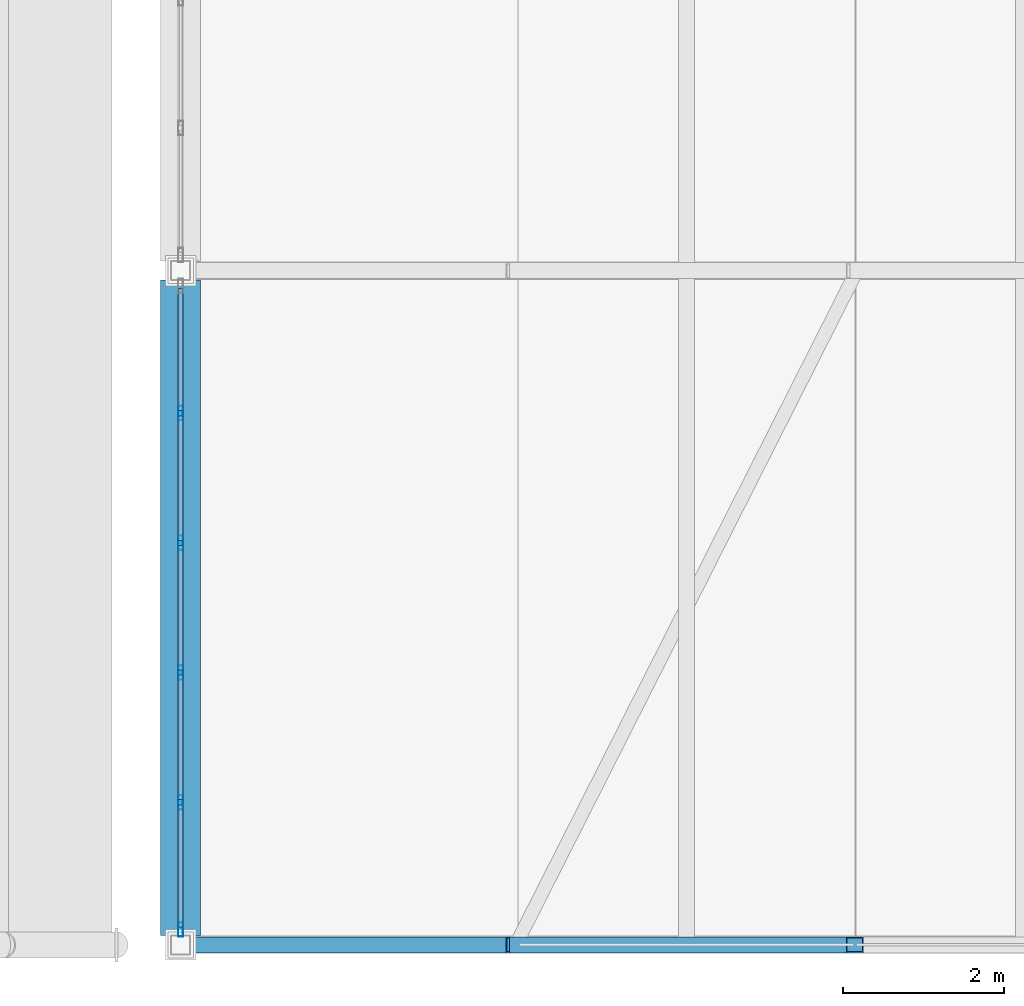
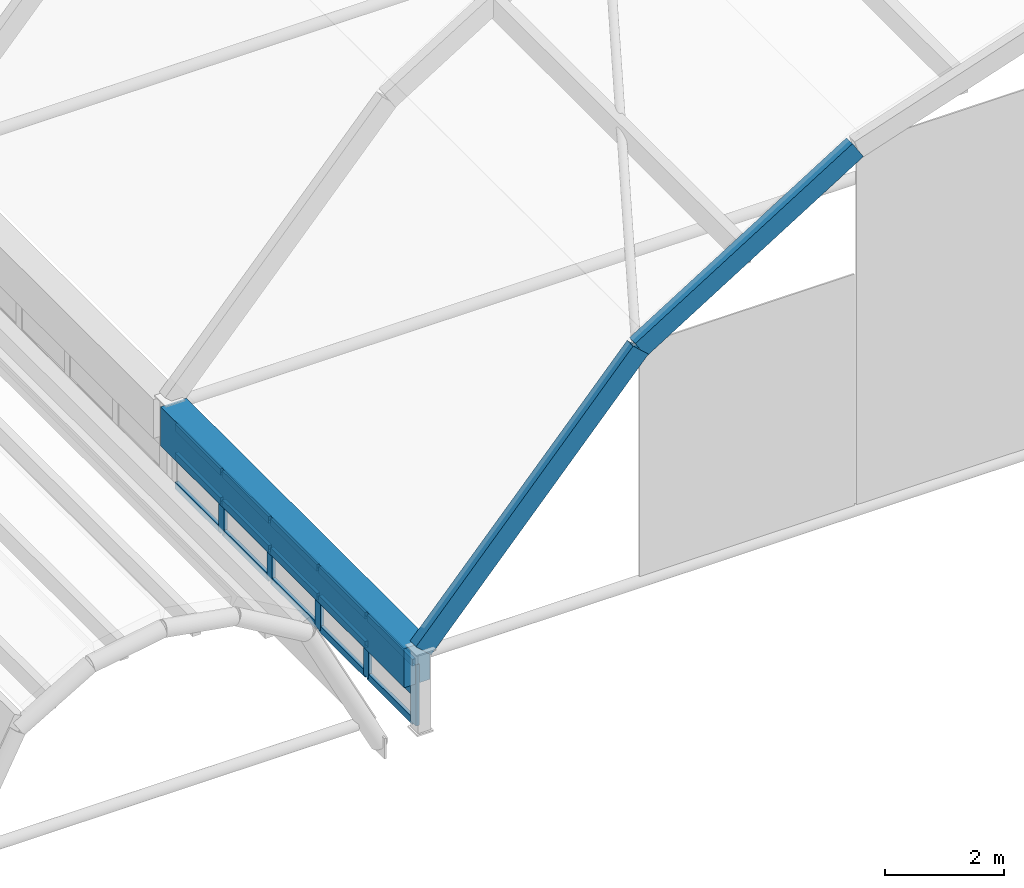
# One storey, part 11 of 114: 20 members, 3 beams, 1 element without a shape of its own.
"""IFC4 building model written with IfcOpenShell, lengths in metres."""

import ifcopenshell
import ifcopenshell.guid

model = None  # the IFC model being written
_history = None  # IfcOwnerHistory: only IFC2X3 demands one
_inside = {}  # id of a spatial element -> (the spatial element, [elements in it])
_under = {}  # id of a project, library or spatial element -> (it, [spatial elements below it])
_declared = {}  # id of a project -> (the project, [libraries it declares])
_typed = {}  # id of a type object -> (the type object, [elements of that type])
_made_of = {}  # id of a material, layer set ... -> (it, [elements and type objects made of it])


def new_model(schema):
    """Start an empty IFC model of exactly this schema.

    Asked for "IFC4X3", IfcOpenShell would pick the latest addendum, in which some entities
    have other attributes; the version numbers below select the first issue.
    IFC2X3 requires an IfcOwnerHistory on every rooted entity: one is made here for all.
    """
    global model, _history
    if schema == "IFC4X3":
        model = ifcopenshell.file(schema_version=(4, 3, 0, 0))
    else:
        model = ifcopenshell.file(schema=schema)
    _inside.clear()
    _under.clear()
    _declared.clear()
    _typed.clear()
    _made_of.clear()
    _history = None
    if model.schema == "IFC2X3":
        org = make("IfcOrganization", Name="unknown")
        user = make(
            "IfcPersonAndOrganization",
            ThePerson=make("IfcPerson", FamilyName="unknown"),
            TheOrganization=org,
        )
        app = make(
            "IfcApplication",
            ApplicationDeveloper=org,
            Version="unknown",
            ApplicationFullName="unknown",
            ApplicationIdentifier="unknown",
        )
        _history = make(
            "IfcOwnerHistory",
            OwningUser=user,
            OwningApplication=app,
            ChangeAction="ADDED",
            CreationDate=0,
        )
    return model


def make(cls, **values):
    """One entity of the class cls with the attributes given. An attribute that is None is left unset."""
    return model.create_entity(
        cls, **{name: value for name, value in values.items() if value is not None}
    )


def rooted(cls, **values):
    """An entity with a GlobalId (a new one), such as an element, a storey or a relation."""
    return make(cls, GlobalId=ifcopenshell.guid.new(), OwnerHistory=_history, **values)


def si_unit(unit_type, name, prefix=None):
    """IfcSIUnit, for example si_unit("LENGTHUNIT", "METRE", prefix="MILLI")."""
    return make("IfcSIUnit", UnitType=unit_type, Prefix=prefix, Name=name)


def assignment(units):
    """IfcUnitAssignment: the units of a project."""
    return None if units is None else make("IfcUnitAssignment", Units=units)


def point(xyz):
    """IfcCartesianPoint."""
    return None if xyz is None else make("IfcCartesianPoint", Coordinates=xyz)


def direction(xyz):
    """IfcDirection."""
    return None if xyz is None else make("IfcDirection", DirectionRatios=xyz)


def frame(location, z_axis=None, x_axis=None):
    """IfcAxis2Placement3D, a coordinate frame: its origin and axes. An axis left out is left unset."""
    return make(
        "IfcAxis2Placement3D",
        Location=point(location),
        Axis=direction(z_axis),
        RefDirection=direction(x_axis),
    )


def frame_2d(location, x_axis=None):
    """IfcAxis2Placement2D, a coordinate frame in the plane: its origin and x axis."""
    return make(
        "IfcAxis2Placement2D", Location=point(location), RefDirection=direction(x_axis)
    )


def origin():
    """The frame at (0, 0, 0) with its axes left unset."""
    return frame((0.0, 0.0, 0.0))


def origin_2d():
    """The frame at (0, 0) in the plane with its x axis left unset."""
    return frame_2d((0.0, 0.0))


def place(relative_to, where):
    """IfcLocalPlacement: puts the frame where relative to a parent placement (None: the world)."""
    return make(
        "IfcLocalPlacement", PlacementRelTo=relative_to, RelativePlacement=where
    )


def context(
    kind, dimensions, precision=None, world=None, true_north=None, identifier=None
):
    """IfcGeometricRepresentationContext, for example the 3D "Model" context."""
    return make(
        "IfcGeometricRepresentationContext",
        ContextIdentifier=identifier,
        ContextType=kind,
        CoordinateSpaceDimension=dimensions,
        Precision=precision,
        WorldCoordinateSystem=world,
        TrueNorth=true_north,
    )


def subcontext(parent, identifier, kind, view, scale=None):
    """IfcGeometricRepresentationSubContext, for example "Body" below "Model"."""
    return make(
        "IfcGeometricRepresentationSubContext",
        ContextIdentifier=identifier,
        ContextType=kind,
        ParentContext=parent,
        TargetScale=scale,
        TargetView=view,
    )


def project(units=None, contexts=None):
    """IfcProject with its units and contexts."""
    return rooted(
        "IfcProject",
        Name="project",
        RepresentationContexts=contexts,
        UnitsInContext=assignment(units),
    )


def spatial(cls, under=None, at=None, **own):
    """A site, building, storey or space (cls), placed at a placement, below another one or the project."""
    s = rooted(cls, ObjectPlacement=at, **own)
    if under is not None:
        _under.setdefault(under.id(), (under, []))[1].append(s)
    return s


def profile(cls, at=None, kind="AREA", **sizes):
    """A parametric profile (cls). Its sizes go by their IFC names, for example OverallWidth=200.0."""
    return make(cls, ProfileType=kind, Position=at, **sizes)


def rectangle(**sizes):
    """IfcRectangleProfileDef."""
    return profile("IfcRectangleProfileDef", **sizes)


def hollow_rectangle(**sizes):
    """IfcRectangleHollowProfileDef."""
    return profile("IfcRectangleHollowProfileDef", **sizes)


def extrude(swept, where, along, depth):
    """IfcExtrudedAreaSolid: the profile swept, set in the frame where, extruded along a direction by depth."""
    return make(
        "IfcExtrudedAreaSolid",
        SweptArea=swept,
        Position=where,
        ExtrudedDirection=direction(along),
        Depth=depth,
    )


def shape(context_of_items, identifier, shape_type, items):
    """IfcShapeRepresentation: the items that make up one representation, for example the "Body"."""
    return make(
        "IfcShapeRepresentation",
        ContextOfItems=context_of_items,
        RepresentationIdentifier=identifier,
        RepresentationType=shape_type,
        Items=items,
    )


def material(Name=None, Category=None):
    """IfcMaterial."""
    return make("IfcMaterial", Name=Name, Category=Category)


def layer(
    of_material, thickness, ventilated=None, Name=None, Category=None, Priority=None
):
    """IfcMaterialLayer: one layer of a wall or slab, of a material (None: an air gap)."""
    return make(
        "IfcMaterialLayer",
        Material=of_material,
        LayerThickness=thickness,
        IsVentilated=ventilated,
        Name=Name,
        Category=Category,
        Priority=Priority,
    )


def layer_set(layers, Name=None):
    """IfcMaterialLayerSet."""
    return make("IfcMaterialLayerSet", MaterialLayers=layers, LayerSetName=Name)


def material_profile(
    of_material, cross_section, Name=None, Category=None, Priority=None
):
    """IfcMaterialProfile: a cross section and its material."""
    return make(
        "IfcMaterialProfile",
        Name=Name,
        Material=of_material,
        Profile=cross_section,
        Priority=Priority,
        Category=Category,
    )


def profile_set(profiles, Name=None, composite=None):
    """IfcMaterialProfileSet."""
    return make(
        "IfcMaterialProfileSet",
        Name=Name,
        MaterialProfiles=profiles,
        CompositeProfile=composite,
    )


def made_of(thing, what):
    """Note that an element or type object is made of a material, layer set ...; save() writes the relation."""
    if what is not None:
        _made_of.setdefault(what.id(), (what, []))[1].append(thing)
    return thing


def type_object(cls, material=None, **own):
    """A type object (cls), such as IfcWallType, which elements share."""
    return made_of(rooted(cls, **own), material)


def element(
    cls,
    number,
    at=None,
    inside=None,
    cuts=None,
    type_object=None,
    material=None,
    context=None,
    identifier="Body",
    shape_type=None,
    held_by="IfcProductDefinitionShape",
    body=None,
    shapes=None,
    **own,
):
    """One element of the class cls, such as IfcWall. Its Tag is "e" and its number.

    at: its placement. inside: the storey or other place that contains it. cuts: it is an
    opening in that element (IfcRelVoidsElement). A single representation is given by context,
    identifier, shape_type and body (its items); several are given by shapes. held_by: the class
    of the entity that holds the representations. save() writes the other relations.
    """
    e = rooted(cls, Tag="e%d" % number, ObjectPlacement=at, **own)
    if body is not None:
        shapes = [shape(context, identifier, shape_type, body)]
    if shapes is not None:
        e.Representation = make(held_by, Representations=shapes)
    if inside is not None:
        _inside.setdefault(inside.id(), (inside, []))[1].append(e)
    if cuts is not None:
        rooted(
            "IfcRelVoidsElement", RelatingBuildingElement=cuts, RelatedOpeningElement=e
        )
    if type_object is not None:
        _typed.setdefault(type_object.id(), (type_object, []))[1].append(e)
    return made_of(e, material)


def aggregate(whole, parts):
    """IfcRelAggregates: a whole, such as a stair, and the parts it consists of."""
    return rooted("IfcRelAggregates", RelatingObject=whole, RelatedObjects=parts)


def save(model, path):
    """Write the relations noted so far, then the file.

    IfcRelAggregates (storeys below a building ...), IfcRelContainedInSpatialStructure (elements
    in a storey), IfcRelDefinesByType, IfcRelAssociatesMaterial and IfcRelDeclares: one each for
    every whole, place, type object, material and project.
    """
    for whole, parts in _under.values():
        aggregate(whole, parts)
    for where, things in _inside.values():
        rooted(
            "IfcRelContainedInSpatialStructure",
            RelatedElements=things,
            RelatingStructure=where,
        )
    for kind, things in _typed.values():
        rooted("IfcRelDefinesByType", RelatedObjects=things, RelatingType=kind)
    for what, things in _made_of.values():
        rooted("IfcRelAssociatesMaterial", RelatedObjects=things, RelatingMaterial=what)
    for by, libraries in _declared.values():
        rooted("IfcRelDeclares", RelatingContext=by, RelatedDefinitions=libraries)
    model.write(path)


model = new_model("IFC4")

# Units and contexts
model_context = context("Model", 3, precision=1e-05, world=origin(), true_north=direction((0.0, 1.0)))
body_context = subcontext(model_context, "Body", "Model", "MODEL_VIEW")
ifc_project = project(units=[si_unit("LENGTHUNIT", "METRE"), si_unit("AREAUNIT", "SQUARE_METRE"), si_unit("VOLUMEUNIT", "CUBIC_METRE"), si_unit("PLANEANGLEUNIT", "RADIAN"), si_unit("MASSUNIT", "GRAM", prefix="KILO")], contexts=[model_context])

# Site, building, storey
site_placement = place(None, origin())
site = spatial("IfcSite", under=ifc_project, at=site_placement, CompositionType="ELEMENT")
building_placement = place(site_placement, origin())
building = spatial("IfcBuilding", under=site, at=building_placement, Name="Xazarin Passage Department Store", CompositionType="ELEMENT")
storey_placement = place(building_placement, frame((0.0, 0.0, 14.39990234375)))
storey = spatial("IfcBuildingStorey", under=building, at=storey_placement, Name="L03", CompositionType="ELEMENT", Elevation=14.39990234375)

# Curtain wall, members
ifc_material_1 = material(Name="Bronze anodised aluminium", Category="aluminium")
ifc_layer = layer(ifc_material_1, 0.159912109375)
ifc_layer_set = layer_set([ifc_layer], Name="Bronze anodised aluminium")
curtain_wall_type = type_object("IfcCurtainWallType", Name="ARC-CW-ARC1", PredefinedType="NOTDEFINED", material=ifc_layer_set)
curtain_wall_placement = place(storey_placement, origin())
curtain_wall = element("IfcCurtainWall", 1, at=curtain_wall_placement, inside=storey, type_object=curtain_wall_type, Name="L03 V2S Galleria Clerestory Curtain Wall 1W", PredefinedType="NOTDEFINED")
ifc_material_profile_1 = material_profile(ifc_material_1, hollow_rectangle(XDim=0.06494140625, YDim=0.179931640625, WallThickness=0.00390625, at=origin_2d()), Name="ALU 65x180")
ifc_profile_set_1 = profile_set([ifc_material_profile_1], Name="Bronze anodised aluminium")
member_type_1 = type_object("IfcMemberType", Name="ARC-CWM-65x180", PredefinedType="MULLION", material=ifc_profile_set_1)
member_1_placement = place(storey_placement, frame((68.0, 0.1923828125, 0.0), z_axis=(0.0, 0.0, 1.0), x_axis=(-1.0, 0.0, 0.0)))
member_1 = element("IfcMember", 2, at=member_1_placement, type_object=member_type_1, Name="CW3 mullion 1", PredefinedType="MULLION", context=body_context, shape_type="SweptSolid", body=[
    extrude(hollow_rectangle(XDim=0.06494140625, YDim=0.179931640625, WallThickness=0.00390625, at=origin_2d()), origin(), (0.0, 0.0, 1.0), 1.251708984375),
])
member_2_placement = place(storey_placement, frame((68.0, 1.77587890625, 0.0), z_axis=(0.0, 0.0, 1.0), x_axis=(-1.0, 0.0, 0.0)))
member_2 = element("IfcMember", 3, at=member_2_placement, type_object=member_type_1, Name="CW3 mullion 2", PredefinedType="MULLION", context=body_context, shape_type="SweptSolid", body=[
    extrude(hollow_rectangle(XDim=0.06494140625, YDim=0.179931640625, WallThickness=0.00390625, at=origin_2d()), origin(), (0.0, 0.0, 1.0), 1.251708984375),
])
member_3_placement = place(storey_placement, frame((68.0, 3.39208984375, 0.0), z_axis=(0.0, 0.0, 1.0), x_axis=(-1.0, 0.0, 0.0)))
member_3 = element("IfcMember", 4, at=member_3_placement, type_object=member_type_1, Name="CW3 mullion 3", PredefinedType="MULLION", context=body_context, shape_type="SweptSolid", body=[
    extrude(hollow_rectangle(XDim=0.06494140625, YDim=0.179931640625, WallThickness=0.00390625, at=origin_2d()), origin(), (0.0, 0.0, 1.0), 1.251708984375),
])
member_4_placement = place(storey_placement, frame((68.0, 5.008056640625, 0.0), z_axis=(0.0, 0.0, 1.0), x_axis=(-1.0, 0.0, 0.0)))
member_4 = element("IfcMember", 5, at=member_4_placement, type_object=member_type_1, Name="CW3 mullion 4", PredefinedType="MULLION", context=body_context, shape_type="SweptSolid", body=[
    extrude(hollow_rectangle(XDim=0.06494140625, YDim=0.179931640625, WallThickness=0.00390625, at=origin_2d()), origin(), (0.0, 0.0, 1.0), 1.251708984375),
])
member_5_placement = place(storey_placement, frame((68.0, 6.6240234375, 0.0), z_axis=(0.0, 0.0, 1.0), x_axis=(-1.0, 0.0, 0.0)))
member_5 = element("IfcMember", 6, at=member_5_placement, type_object=member_type_1, Name="CW3 mullion 5", PredefinedType="MULLION", context=body_context, shape_type="SweptSolid", body=[
    extrude(hollow_rectangle(XDim=0.06494140625, YDim=0.179931640625, WallThickness=0.00390625, at=origin_2d()), origin(), (0.0, 0.0, 1.0), 1.251708984375),
])
ifc_material_profile_2 = material_profile(ifc_material_1, hollow_rectangle(XDim=0.06494140625, YDim=0.139892578125, WallThickness=0.00390625, at=origin_2d()), Name="ALU 65x140")
ifc_profile_set_2 = profile_set([ifc_material_profile_2], Name="Bronze anodised aluminium")
member_type_2 = type_object("IfcMemberType", Name="ARC-CWT-65x140", PredefinedType="USERDEFINED", material=ifc_profile_set_2)
member_6_placement = place(storey_placement, frame((68.0, 0.22509765625, 0.03271484375), z_axis=(0.0, 1.0, 0.0), x_axis=(-1.0, 0.0, 0.0)))
member_6 = element("IfcMember", 7, at=member_6_placement, type_object=member_type_2, Name="CW3 transom 1.1", ObjectType="TRANSOM", PredefinedType="USERDEFINED", context=body_context, shape_type="SweptSolid", body=[
    extrude(hollow_rectangle(XDim=0.06494140625, YDim=0.139892578125, WallThickness=0.00390625, at=origin_2d()), origin(), (0.0, 0.0, 1.0), 1.518310546875),
])
member_7_placement = place(storey_placement, frame((68.0, 0.22509765625, 0.6259765625), z_axis=(0.0, 1.0, 0.0), x_axis=(-1.0, 0.0, 0.0)))
member_7 = element("IfcMember", 8, at=member_7_placement, type_object=member_type_2, Name="CW3 transom 1.2", ObjectType="TRANSOM", PredefinedType="USERDEFINED", context=body_context, shape_type="SweptSolid", body=[
    extrude(hollow_rectangle(XDim=0.06494140625, YDim=0.139892578125, WallThickness=0.00390625, at=origin_2d()), origin(), (0.0, 0.0, 1.0), 1.518310546875),
])
member_8_placement = place(storey_placement, frame((68.0, 0.22509765625, 1.21923828125), z_axis=(0.0, 1.0, 0.0), x_axis=(-1.0, 0.0, 0.0)))
member_8 = element("IfcMember", 9, at=member_8_placement, type_object=member_type_2, Name="CW3 transom 1.3", ObjectType="TRANSOM", PredefinedType="USERDEFINED", context=body_context, shape_type="SweptSolid", body=[
    extrude(hollow_rectangle(XDim=0.06494140625, YDim=0.139892578125, WallThickness=0.00390625, at=origin_2d()), origin(), (0.0, 0.0, 1.0), 1.518310546875),
])
member_9_placement = place(storey_placement, frame((68.0, 1.80859375, 0.03271484375), z_axis=(0.0, 1.0, 0.0), x_axis=(-1.0, 0.0, 0.0)))
member_9 = element("IfcMember", 10, at=member_9_placement, type_object=member_type_2, Name="CW3 transom 2.1", ObjectType="TRANSOM", PredefinedType="USERDEFINED", context=body_context, shape_type="SweptSolid", body=[
    extrude(hollow_rectangle(XDim=0.06494140625, YDim=0.139892578125, WallThickness=0.00390625, at=origin_2d()), origin(), (0.0, 0.0, 1.0), 1.551025390625),
])
member_10_placement = place(storey_placement, frame((68.0, 1.80859375, 0.6259765625), z_axis=(0.0, 1.0, 0.0), x_axis=(-1.0, 0.0, 0.0)))
member_10 = element("IfcMember", 11, at=member_10_placement, type_object=member_type_2, Name="CW3 transom 2.2", ObjectType="TRANSOM", PredefinedType="USERDEFINED", context=body_context, shape_type="SweptSolid", body=[
    extrude(hollow_rectangle(XDim=0.06494140625, YDim=0.139892578125, WallThickness=0.00390625, at=origin_2d()), origin(), (0.0, 0.0, 1.0), 1.551025390625),
])
member_11_placement = place(storey_placement, frame((68.0, 1.80859375, 1.21923828125), z_axis=(0.0, 1.0, 0.0), x_axis=(-1.0, 0.0, 0.0)))
member_11 = element("IfcMember", 12, at=member_11_placement, type_object=member_type_2, Name="CW3 transom 2.3", ObjectType="TRANSOM", PredefinedType="USERDEFINED", context=body_context, shape_type="SweptSolid", body=[
    extrude(hollow_rectangle(XDim=0.06494140625, YDim=0.139892578125, WallThickness=0.00390625, at=origin_2d()), origin(), (0.0, 0.0, 1.0), 1.551025390625),
])
member_12_placement = place(storey_placement, frame((68.0, 3.424560546875, 0.03271484375), z_axis=(0.0, 1.0, 0.0), x_axis=(-1.0, 0.0, 0.0)))
member_12 = element("IfcMember", 13, at=member_12_placement, type_object=member_type_2, Name="CW3 transom 3.1", ObjectType="TRANSOM", PredefinedType="USERDEFINED", context=body_context, shape_type="SweptSolid", body=[
    extrude(hollow_rectangle(XDim=0.06494140625, YDim=0.139892578125, WallThickness=0.00390625, at=origin_2d()), origin(), (0.0, 0.0, 1.0), 1.551025390625),
])
member_13_placement = place(storey_placement, frame((68.0, 3.424560546875, 0.6259765625), z_axis=(0.0, 1.0, 0.0), x_axis=(-1.0, 0.0, 0.0)))
member_13 = element("IfcMember", 14, at=member_13_placement, type_object=member_type_2, Name="CW3 transom 3.2", ObjectType="TRANSOM", PredefinedType="USERDEFINED", context=body_context, shape_type="SweptSolid", body=[
    extrude(hollow_rectangle(XDim=0.06494140625, YDim=0.139892578125, WallThickness=0.00390625, at=origin_2d()), origin(), (0.0, 0.0, 1.0), 1.551025390625),
])
member_14_placement = place(storey_placement, frame((68.0, 3.424560546875, 1.21923828125), z_axis=(0.0, 1.0, 0.0), x_axis=(-1.0, 0.0, 0.0)))
member_14 = element("IfcMember", 15, at=member_14_placement, type_object=member_type_2, Name="CW3 transom 3.3", ObjectType="TRANSOM", PredefinedType="USERDEFINED", context=body_context, shape_type="SweptSolid", body=[
    extrude(hollow_rectangle(XDim=0.06494140625, YDim=0.139892578125, WallThickness=0.00390625, at=origin_2d()), origin(), (0.0, 0.0, 1.0), 1.551025390625),
])
member_15_placement = place(storey_placement, frame((68.0, 5.04052734375, 0.03271484375), z_axis=(0.0, 1.0, 0.0), x_axis=(-1.0, 0.0, 0.0)))
member_15 = element("IfcMember", 16, at=member_15_placement, type_object=member_type_2, Name="CW3 transom 4.1", ObjectType="TRANSOM", PredefinedType="USERDEFINED", context=body_context, shape_type="SweptSolid", body=[
    extrude(hollow_rectangle(XDim=0.06494140625, YDim=0.139892578125, WallThickness=0.00390625, at=origin_2d()), origin(), (0.0, 0.0, 1.0), 1.551025390625),
])
member_16_placement = place(storey_placement, frame((68.0, 5.04052734375, 0.6259765625), z_axis=(0.0, 1.0, 0.0), x_axis=(-1.0, 0.0, 0.0)))
member_16 = element("IfcMember", 17, at=member_16_placement, type_object=member_type_2, Name="CW3 transom 4.2", ObjectType="TRANSOM", PredefinedType="USERDEFINED", context=body_context, shape_type="SweptSolid", body=[
    extrude(hollow_rectangle(XDim=0.06494140625, YDim=0.139892578125, WallThickness=0.00390625, at=origin_2d()), origin(), (0.0, 0.0, 1.0), 1.551025390625),
])
member_17_placement = place(storey_placement, frame((68.0, 5.04052734375, 1.21923828125), z_axis=(0.0, 1.0, 0.0), x_axis=(-1.0, 0.0, 0.0)))
member_17 = element("IfcMember", 18, at=member_17_placement, type_object=member_type_2, Name="CW3 transom 4.3", ObjectType="TRANSOM", PredefinedType="USERDEFINED", context=body_context, shape_type="SweptSolid", body=[
    extrude(hollow_rectangle(XDim=0.06494140625, YDim=0.139892578125, WallThickness=0.00390625, at=origin_2d()), origin(), (0.0, 0.0, 1.0), 1.551025390625),
])
member_18_placement = place(storey_placement, frame((68.0, 6.656494140625, 0.03271484375), z_axis=(0.0, 1.0, 0.0), x_axis=(-1.0, 0.0, 0.0)))
member_18 = element("IfcMember", 19, at=member_18_placement, type_object=member_type_2, Name="CW3 transom 5.1", ObjectType="TRANSOM", PredefinedType="USERDEFINED", context=body_context, shape_type="SweptSolid", body=[
    extrude(hollow_rectangle(XDim=0.06494140625, YDim=0.139892578125, WallThickness=0.00390625, at=origin_2d()), origin(), (0.0, 0.0, 1.0), 1.5185546875),
])
member_19_placement = place(storey_placement, frame((68.0, 6.656494140625, 0.6259765625), z_axis=(0.0, 1.0, 0.0), x_axis=(-1.0, 0.0, 0.0)))
member_19 = element("IfcMember", 20, at=member_19_placement, type_object=member_type_2, Name="CW3 transom 5.2", ObjectType="TRANSOM", PredefinedType="USERDEFINED", context=body_context, shape_type="SweptSolid", body=[
    extrude(hollow_rectangle(XDim=0.06494140625, YDim=0.139892578125, WallThickness=0.00390625, at=origin_2d()), origin(), (0.0, 0.0, 1.0), 1.5185546875),
])
member_20_placement = place(storey_placement, frame((68.0, 6.656494140625, 1.21923828125), z_axis=(0.0, 1.0, 0.0), x_axis=(-1.0, 0.0, 0.0)))
member_20 = element("IfcMember", 21, at=member_20_placement, type_object=member_type_2, Name="CW3 transom 5.3", ObjectType="TRANSOM", PredefinedType="USERDEFINED", context=body_context, shape_type="SweptSolid", body=[
    extrude(hollow_rectangle(XDim=0.06494140625, YDim=0.139892578125, WallThickness=0.00390625, at=origin_2d()), origin(), (0.0, 0.0, 1.0), 1.5185546875),
])
aggregate(curtain_wall, [member_1, member_2, member_3, member_4, member_5, member_6, member_7, member_8, member_9, member_10, member_11, member_12, member_13, member_14, member_15, member_16, member_17, member_18, member_19, member_20])

# Beams
ifc_material_2 = material(Name="Steel S355", Category="steel")
ifc_material_profile_3 = material_profile(ifc_material_2, hollow_rectangle(XDim=0.199951171875, YDim=0.39990234375, WallThickness=0.01611328125, at=origin_2d()), Name="RHS 400x200x16")
ifc_profile_set_3 = profile_set([ifc_material_profile_3], Name="Steel S355")
beam_type_1 = type_object("IfcBeamType", Name="STR-BM-AR400", PredefinedType="BEAM", material=ifc_profile_set_3)
beam_1_placement = place(storey_placement, frame((68.0, 0.0, 1.65185546875), z_axis=(0.667891545417, 0.0, 0.74425861336), x_axis=(0.0, 1.0, 0.0)))
element("IfcBeam", 22, at=beam_1_placement, inside=storey, type_object=beam_type_1, Name="V2S Primary Arch Rib 1.1", PredefinedType="BEAM", context=body_context, shape_type="SweptSolid", body=[
    extrude(hollow_rectangle(XDim=0.199951171875, YDim=0.39990234375, WallThickness=0.01611328125, at=origin_2d()), origin(), (0.0, 0.0, 1.0), 6.288330078125),
])
beam_2_placement = place(storey_placement, frame((72.199951171875, 0.0, 6.33203125), z_axis=(0.848571440894, 0.0, 0.529080815848), x_axis=(0.0, 1.0, 0.0)))
element("IfcBeam", 23, at=beam_2_placement, inside=storey, type_object=beam_type_1, Name="V2S Primary Arch Rib 1.2", PredefinedType="BEAM", context=body_context, shape_type="SweptSolid", body=[
    extrude(hollow_rectangle(XDim=0.199951171875, YDim=0.39990234375, WallThickness=0.01611328125, at=origin_2d()), origin(), (0.0, 0.0, 1.0), 4.949462890625),
])
ifc_material_3 = material(Name="Concrete C40/50", Category="concrete")
ifc_material_profile_4 = material_profile(ifc_material_3, rectangle(XDim=0.5, YDim=0.800048828125, at=origin_2d()), Name="RC 500x800")
ifc_profile_set_4 = profile_set([ifc_material_profile_4], Name="Concrete C40/50")
beam_type_2 = type_object("IfcBeamType", Name="STR-BM-RG500x800", PredefinedType="BEAM", material=ifc_profile_set_4)
beam_3_placement = place(storey_placement, frame((68.0, 0.1201171875, 1.251708984375), z_axis=(0.0, 1.0, 0.0), x_axis=(-1.0, 0.0, 0.0)))
element("IfcBeam", 24, at=beam_3_placement, inside=storey, type_object=beam_type_2, Name="V2S Springing Ring Girder W-1", PredefinedType="BEAM", context=body_context, shape_type="SweptSolid", body=[
    extrude(rectangle(XDim=0.5, YDim=0.800048828125, at=origin_2d()), origin(), (0.0, 0.0, 1.0), 8.159912109375),
])

save(model, "model.ifc")
